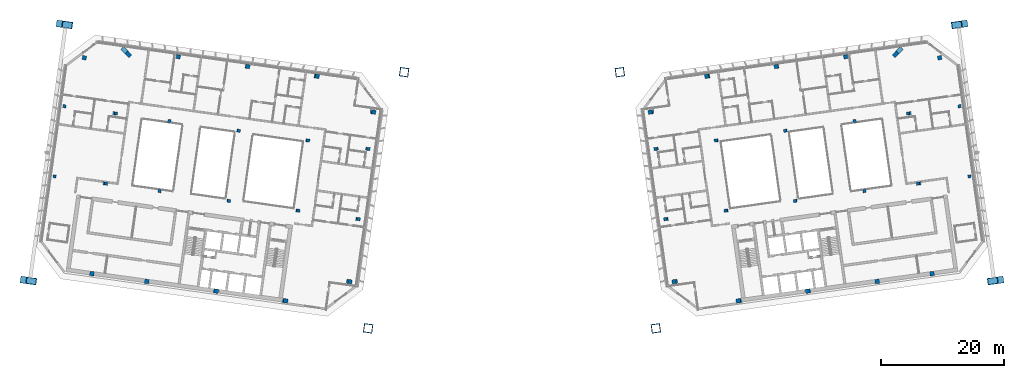
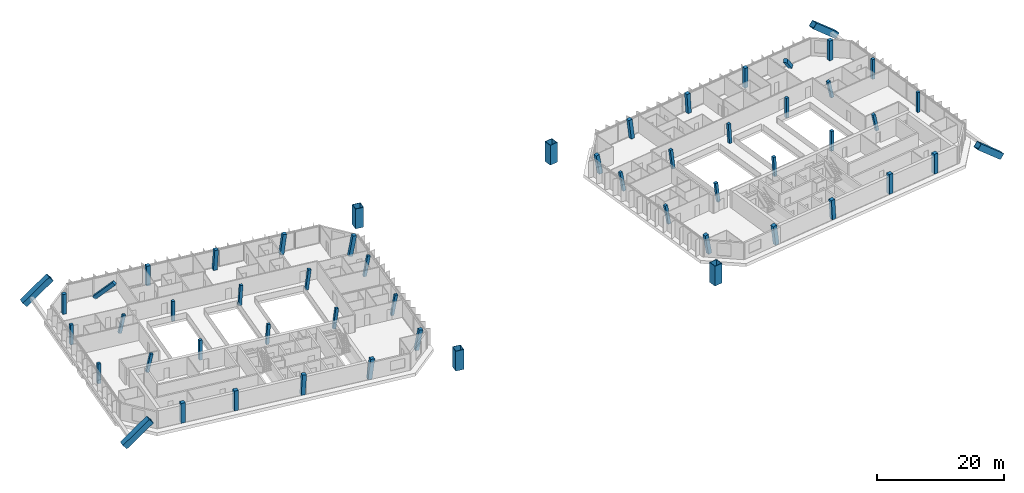
# One storey, part 1 of 26: 54 columns.
"""IFC4 building model written with IfcOpenShell, lengths in metres."""

import ifcopenshell
import ifcopenshell.guid

model = None  # the IFC model being written
_history = None  # IfcOwnerHistory: only IFC2X3 demands one
_inside = {}  # id of a spatial element -> (the spatial element, [elements in it])
_under = {}  # id of a project, library or spatial element -> (it, [spatial elements below it])
_declared = {}  # id of a project -> (the project, [libraries it declares])
_typed = {}  # id of a type object -> (the type object, [elements of that type])
_made_of = {}  # id of a material, layer set ... -> (it, [elements and type objects made of it])


def new_model(schema):
    """Start an empty IFC model of exactly this schema.

    Asked for "IFC4X3", IfcOpenShell would pick the latest addendum, in which some entities
    have other attributes; the version numbers below select the first issue.
    IFC2X3 requires an IfcOwnerHistory on every rooted entity: one is made here for all.
    """
    global model, _history
    if schema == "IFC4X3":
        model = ifcopenshell.file(schema_version=(4, 3, 0, 0))
    else:
        model = ifcopenshell.file(schema=schema)
    _inside.clear()
    _under.clear()
    _declared.clear()
    _typed.clear()
    _made_of.clear()
    _history = None
    if model.schema == "IFC2X3":
        org = make("IfcOrganization", Name="unknown")
        user = make(
            "IfcPersonAndOrganization",
            ThePerson=make("IfcPerson", FamilyName="unknown"),
            TheOrganization=org,
        )
        app = make(
            "IfcApplication",
            ApplicationDeveloper=org,
            Version="unknown",
            ApplicationFullName="unknown",
            ApplicationIdentifier="unknown",
        )
        _history = make(
            "IfcOwnerHistory",
            OwningUser=user,
            OwningApplication=app,
            ChangeAction="ADDED",
            CreationDate=0,
        )
    return model


def make(cls, **values):
    """One entity of the class cls with the attributes given. An attribute that is None is left unset."""
    return model.create_entity(
        cls, **{name: value for name, value in values.items() if value is not None}
    )


def rooted(cls, **values):
    """An entity with a GlobalId (a new one), such as an element, a storey or a relation."""
    return make(cls, GlobalId=ifcopenshell.guid.new(), OwnerHistory=_history, **values)


def si_unit(unit_type, name, prefix=None):
    """IfcSIUnit, for example si_unit("LENGTHUNIT", "METRE", prefix="MILLI")."""
    return make("IfcSIUnit", UnitType=unit_type, Prefix=prefix, Name=name)


def assignment(units):
    """IfcUnitAssignment: the units of a project."""
    return None if units is None else make("IfcUnitAssignment", Units=units)


def point(xyz):
    """IfcCartesianPoint."""
    return None if xyz is None else make("IfcCartesianPoint", Coordinates=xyz)


def direction(xyz):
    """IfcDirection."""
    return None if xyz is None else make("IfcDirection", DirectionRatios=xyz)


def frame(location, z_axis=None, x_axis=None):
    """IfcAxis2Placement3D, a coordinate frame: its origin and axes. An axis left out is left unset."""
    return make(
        "IfcAxis2Placement3D",
        Location=point(location),
        Axis=direction(z_axis),
        RefDirection=direction(x_axis),
    )


def frame_2d(location, x_axis=None):
    """IfcAxis2Placement2D, a coordinate frame in the plane: its origin and x axis."""
    return make(
        "IfcAxis2Placement2D", Location=point(location), RefDirection=direction(x_axis)
    )


def origin():
    """The frame at (0, 0, 0) with its axes left unset."""
    return frame((0.0, 0.0, 0.0))


def origin_2d():
    """The frame at (0, 0) in the plane with its x axis left unset."""
    return frame_2d((0.0, 0.0))


def place(relative_to, where):
    """IfcLocalPlacement: puts the frame where relative to a parent placement (None: the world)."""
    return make(
        "IfcLocalPlacement", PlacementRelTo=relative_to, RelativePlacement=where
    )


def context(
    kind, dimensions, precision=None, world=None, true_north=None, identifier=None
):
    """IfcGeometricRepresentationContext, for example the 3D "Model" context."""
    return make(
        "IfcGeometricRepresentationContext",
        ContextIdentifier=identifier,
        ContextType=kind,
        CoordinateSpaceDimension=dimensions,
        Precision=precision,
        WorldCoordinateSystem=world,
        TrueNorth=true_north,
    )


def subcontext(parent, identifier, kind, view, scale=None):
    """IfcGeometricRepresentationSubContext, for example "Body" below "Model"."""
    return make(
        "IfcGeometricRepresentationSubContext",
        ContextIdentifier=identifier,
        ContextType=kind,
        ParentContext=parent,
        TargetScale=scale,
        TargetView=view,
    )


def project(units=None, contexts=None):
    """IfcProject with its units and contexts."""
    return rooted(
        "IfcProject",
        Name="project",
        RepresentationContexts=contexts,
        UnitsInContext=assignment(units),
    )


def spatial(cls, under=None, at=None, **own):
    """A site, building, storey or space (cls), placed at a placement, below another one or the project."""
    s = rooted(cls, ObjectPlacement=at, **own)
    if under is not None:
        _under.setdefault(under.id(), (under, []))[1].append(s)
    return s


def profile(cls, at=None, kind="AREA", **sizes):
    """A parametric profile (cls). Its sizes go by their IFC names, for example OverallWidth=200.0."""
    return make(cls, ProfileType=kind, Position=at, **sizes)


def rectangle(**sizes):
    """IfcRectangleProfileDef."""
    return profile("IfcRectangleProfileDef", **sizes)


def hollow_rectangle(**sizes):
    """IfcRectangleHollowProfileDef."""
    return profile("IfcRectangleHollowProfileDef", **sizes)


def extrude(swept, where, along, depth):
    """IfcExtrudedAreaSolid: the profile swept, set in the frame where, extruded along a direction by depth."""
    return make(
        "IfcExtrudedAreaSolid",
        SweptArea=swept,
        Position=where,
        ExtrudedDirection=direction(along),
        Depth=depth,
    )


def shape(context_of_items, identifier, shape_type, items):
    """IfcShapeRepresentation: the items that make up one representation, for example the "Body"."""
    return make(
        "IfcShapeRepresentation",
        ContextOfItems=context_of_items,
        RepresentationIdentifier=identifier,
        RepresentationType=shape_type,
        Items=items,
    )


def material(Name=None, Category=None):
    """IfcMaterial."""
    return make("IfcMaterial", Name=Name, Category=Category)


def material_profile(
    of_material, cross_section, Name=None, Category=None, Priority=None
):
    """IfcMaterialProfile: a cross section and its material."""
    return make(
        "IfcMaterialProfile",
        Name=Name,
        Material=of_material,
        Profile=cross_section,
        Priority=Priority,
        Category=Category,
    )


def profile_set(profiles, Name=None, composite=None):
    """IfcMaterialProfileSet."""
    return make(
        "IfcMaterialProfileSet",
        Name=Name,
        MaterialProfiles=profiles,
        CompositeProfile=composite,
    )


def made_of(thing, what):
    """Note that an element or type object is made of a material, layer set ...; save() writes the relation."""
    if what is not None:
        _made_of.setdefault(what.id(), (what, []))[1].append(thing)
    return thing


def type_object(cls, material=None, **own):
    """A type object (cls), such as IfcWallType, which elements share."""
    return made_of(rooted(cls, **own), material)


def element(
    cls,
    number,
    at=None,
    inside=None,
    cuts=None,
    type_object=None,
    material=None,
    context=None,
    identifier="Body",
    shape_type=None,
    held_by="IfcProductDefinitionShape",
    body=None,
    shapes=None,
    **own,
):
    """One element of the class cls, such as IfcWall. Its Tag is "e" and its number.

    at: its placement. inside: the storey or other place that contains it. cuts: it is an
    opening in that element (IfcRelVoidsElement). A single representation is given by context,
    identifier, shape_type and body (its items); several are given by shapes. held_by: the class
    of the entity that holds the representations. save() writes the other relations.
    """
    e = rooted(cls, Tag="e%d" % number, ObjectPlacement=at, **own)
    if body is not None:
        shapes = [shape(context, identifier, shape_type, body)]
    if shapes is not None:
        e.Representation = make(held_by, Representations=shapes)
    if inside is not None:
        _inside.setdefault(inside.id(), (inside, []))[1].append(e)
    if cuts is not None:
        rooted(
            "IfcRelVoidsElement", RelatingBuildingElement=cuts, RelatedOpeningElement=e
        )
    if type_object is not None:
        _typed.setdefault(type_object.id(), (type_object, []))[1].append(e)
    return made_of(e, material)


def aggregate(whole, parts):
    """IfcRelAggregates: a whole, such as a stair, and the parts it consists of."""
    return rooted("IfcRelAggregates", RelatingObject=whole, RelatedObjects=parts)


def save(model, path):
    """Write the relations noted so far, then the file.

    IfcRelAggregates (storeys below a building ...), IfcRelContainedInSpatialStructure (elements
    in a storey), IfcRelDefinesByType, IfcRelAssociatesMaterial and IfcRelDeclares: one each for
    every whole, place, type object, material and project.
    """
    for whole, parts in _under.values():
        aggregate(whole, parts)
    for where, things in _inside.values():
        rooted(
            "IfcRelContainedInSpatialStructure",
            RelatedElements=things,
            RelatingStructure=where,
        )
    for kind, things in _typed.values():
        rooted("IfcRelDefinesByType", RelatedObjects=things, RelatingType=kind)
    for what, things in _made_of.values():
        rooted("IfcRelAssociatesMaterial", RelatedObjects=things, RelatingMaterial=what)
    for by, libraries in _declared.values():
        rooted("IfcRelDeclares", RelatingContext=by, RelatedDefinitions=libraries)
    model.write(path)


model = new_model("IFC4")

# Units and contexts
model_context = context("Model", 3, precision=1e-05, world=origin(), true_north=direction((0.0, 1.0)))
body_context = subcontext(model_context, "Body", "Model", "MODEL_VIEW")
ifc_project = project(units=[si_unit("LENGTHUNIT", "METRE"), si_unit("AREAUNIT", "SQUARE_METRE"), si_unit("VOLUMEUNIT", "CUBIC_METRE"), si_unit("PLANEANGLEUNIT", "RADIAN"), si_unit("MASSUNIT", "GRAM", prefix="KILO")], contexts=[model_context])

# Site, building, storey
site_placement = place(None, origin())
site = spatial("IfcSite", under=ifc_project, at=site_placement, CompositionType="ELEMENT")
building_placement = place(site_placement, origin())
building = spatial("IfcBuilding", under=site, at=building_placement, Name="Mirante Cascada Hotel Towers", CompositionType="ELEMENT")
storey_placement = place(building_placement, frame((0.0, 0.0, 228.0)))
storey = spatial("IfcBuildingStorey", under=building, at=storey_placement, Name="L54", CompositionType="ELEMENT", Elevation=228.0)

# Columns
ifc_material_1 = material(Name="Steel ASTM A572 Gr 50", Category="steel")
ifc_material_profile_1 = material_profile(ifc_material_1, hollow_rectangle(XDim=1.1, YDim=1.1, WallThickness=0.05, at=origin_2d()), Name="Box column 1100x1100x50 ASTM A572 Gr 50")
ifc_profile_set_1 = profile_set([ifc_material_profile_1], Name="Steel ASTM A572 Gr 50")
column_type_1 = type_object("IfcColumnType", Name="Box column 1100x1100x50 ASTM A572 Gr 50", PredefinedType="COLUMN", material=ifc_profile_set_1)
for number, where, z_axis, x_axis, name in (
    (1, (-73.62, 25.3368, 0.0), (0.7565937, -0.106336, 0.6451811), (0.1391779, 0.9902674, 0.0), "Mega column MC3 T1 L54"),
    (2, (-79.4652, -16.2545, 0.0), (0.7565937, -0.106336, 0.6451811), (0.1391779, 0.9902674, 0.0), "Mega column MC4 T1 L54"),
    (3, (73.62, 25.3368, 0.0), (-0.7565937, -0.106336, 0.6451811), (0.1391779, -0.9902674, 0.0), "Mega column MC3 T2 L54"),
    (4, (79.4652, -16.2545, 0.0), (-0.7565937, -0.106336, 0.6451811), (0.1391779, -0.9902674, 0.0), "Mega column MC4 T2 L54"),
):
    element("IfcColumn", number, at=place(storey_placement, frame(where, z_axis=z_axis, x_axis=x_axis)), inside=storey, type_object=column_type_1, Name=name, PredefinedType="COLUMN", context=body_context, shape_type="SweptSolid", body=[
        extrude(hollow_rectangle(XDim=1.1, YDim=1.1, WallThickness=0.05, at=origin_2d()), origin(), (0.0, 0.0, 1.0), 5.8898),
    ])
ifc_material_2 = material(Name="Steel ASTM A572 Gr 50", Category="steel")
ifc_material_profile_2 = material_profile(ifc_material_2, hollow_rectangle(XDim=1.4, YDim=1.4, WallThickness=0.06, at=origin_2d()), Name="Box column 1400x1400x60 ASTM A572 Gr 50")
ifc_profile_set_2 = profile_set([ifc_material_profile_2], Name="Steel ASTM A572 Gr 50")
column_type_2 = type_object("IfcColumnType", Name="Box column 1400x1400x60 ASTM A572 Gr 50", PredefinedType="COLUMN", material=ifc_profile_set_2)
for number, where, z_axis, x_axis, name in (
    (5, (-17.5117, 17.4513, 0.0), (0.0, 0.0, 1.0), (-0.9902681, 0.1391731, 0.0), "Mega column MC1 T1 L54"),
    (6, (-23.357, -24.14, 0.0), (0.0, 0.0, 1.0), (-0.9902681, 0.1391731, 0.0), "Mega column MC2 T1 L54"),
    (7, (17.5117, 17.4513, 0.0), (0.0, 0.0, 1.0), (0.9902681, 0.1391731, 0.0), "Mega column MC1 T2 L54"),
    (8, (23.357, -24.14, 0.0), (0.0, 0.0, 1.0), (0.9902681, 0.1391731, 0.0), "Mega column MC2 T2 L54"),
):
    element("IfcColumn", number, at=place(storey_placement, frame(where, z_axis=z_axis, x_axis=x_axis)), inside=storey, type_object=column_type_2, Name=name, PredefinedType="COLUMN", context=body_context, shape_type="SweptSolid", body=[
        extrude(hollow_rectangle(XDim=1.4, YDim=1.4, WallThickness=0.06, at=origin_2d()), origin(), (0.0, 0.0, 1.0), 3.8),
    ])
ifc_material_3 = material(Name="Concrete C50/60", Category="concrete")
ifc_material_profile_3 = material_profile(ifc_material_3, rectangle(XDim=0.5, YDim=0.5, at=origin_2d()), Name="RC column 500x500 C50/60")
ifc_profile_set_3 = profile_set([ifc_material_profile_3], Name="Concrete C50/60")
column_type_3 = type_object("IfcColumnType", Name="RC column 500x500 C50/60", PredefinedType="COLUMN", material=ifc_profile_set_3)
for number, where, z_axis, x_axis, name in (
    (9, (-23.5059, 5.0145, 0.0039), (0.175491, -0.0246809, 0.9841716), (0.1392683, 0.9902547, 0.0), "Column T1 L54 2"),
    (10, (-25.1064, -6.3736, 0.0039), (0.1755161, -0.0246807, 0.9841671), (0.1392481, 0.9902575, 0.0), "Column T1 L54 3"),
):
    element("IfcColumn", number, at=place(storey_placement, frame(where, z_axis=z_axis, x_axis=x_axis)), inside=storey, type_object=column_type_3, Name=name, PredefinedType="COLUMN", context=body_context, shape_type="SweptSolid", body=[
        extrude(rectangle(XDim=0.5, YDim=0.5, at=origin_2d()), origin(), (0.0, 0.0, 1.0), 3.8532),
    ])
for number, where, z_axis, x_axis, name in (
    (11, (-33.2389, 6.3823, 0.004), (0.1243507, -0.0174504, 0.9920849), (0.1389707, 0.9902965, 0.0), "Column T1 L54 6"),
    (12, (-34.8394, -5.0057, 0.004), (0.1243507, -0.0174766, 0.9920844), (0.139175, 0.9902678, 0.0), "Column T1 L54 7"),
):
    element("IfcColumn", number, at=place(storey_placement, frame(where, z_axis=z_axis, x_axis=x_axis)), inside=storey, type_object=column_type_3, Name=name, PredefinedType="COLUMN", context=body_context, shape_type="SweptSolid", body=[
        extrude(rectangle(XDim=0.5, YDim=0.5, at=origin_2d()), origin(), (0.0, 0.0, 1.0), 3.8223),
    ])
for number, where, z_axis, x_axis, name in (
    (13, (-44.4418, 7.9568, 0.004), (0.0625332, -0.0087904, 0.9980042), (0.1392037, 0.9902638, 0.0), "Column T1 L54 10"),
    (14, (-46.0423, -3.4313, 0.004), (0.0625332, -0.0087904, 0.9980042), (0.1392037, 0.9902638, 0.0), "Column T1 L54 11"),
):
    element("IfcColumn", number, at=place(storey_placement, frame(where, z_axis=z_axis, x_axis=x_axis)), inside=storey, type_object=column_type_3, Name=name, PredefinedType="COLUMN", context=body_context, shape_type="SweptSolid", body=[
        extrude(rectangle(XDim=0.5, YDim=0.5, at=origin_2d()), origin(), (0.0, 0.0, 1.0), 3.7996),
    ])
for number, where, z_axis, x_axis, name in (
    (15, (-55.6447, 9.5313, 0.0), (0.0, 0.0, 1.0), (-0.9902681, 0.1391731, 0.0), "Column T1 L54 14"),
    (16, (-57.2452, -1.8568, 0.0), (0.0, 0.0, 1.0), (-0.9902681, 0.1391731, 0.0), "Column T1 L54 15"),
):
    element("IfcColumn", number, at=place(storey_placement, frame(where, z_axis=z_axis, x_axis=x_axis)), inside=storey, type_object=column_type_3, Name=name, PredefinedType="COLUMN", context=body_context, shape_type="SweptSolid", body=[
        extrude(rectangle(XDim=0.5, YDim=0.5, at=origin_2d()), origin(), (0.0, 0.0, 1.0), 3.8),
    ])
for number, where, z_axis, x_axis, name in (
    (17, (-64.5712, 10.7858, 0.0039), (0.2076734, -0.0291917, 0.9777626), (0.1391972, 0.9902647, 0.0), "Column T1 L54 18"),
    (18, (-66.1717, -0.6023, 0.0039), (0.2076734, -0.0291917, 0.9777626), (0.1391972, 0.9902647, 0.0), "Column T1 L54 19"),
):
    element("IfcColumn", number, at=place(storey_placement, frame(where, z_axis=z_axis, x_axis=x_axis)), inside=storey, type_object=column_type_3, Name=name, PredefinedType="COLUMN", context=body_context, shape_type="SweptSolid", body=[
        extrude(rectangle(XDim=0.5, YDim=0.5, at=origin_2d()), origin(), (0.0, 0.0, 1.0), 3.4222),
    ])
for number, where, z_axis, x_axis, name in (
    (19, (-72.6773, 11.9251, 0.0), (0.0, 0.0, 1.0), (-0.9902681, 0.1391731, 0.0), "Column T1 L54 22"),
    (20, (-74.2778, 0.537, 0.0), (0.0, 0.0, 1.0), (-0.9902681, 0.1391731, 0.0), "Column T1 L54 23"),
):
    element("IfcColumn", number, at=place(storey_placement, frame(where, z_axis=z_axis, x_axis=x_axis)), inside=storey, type_object=column_type_3, Name=name, PredefinedType="COLUMN", context=body_context, shape_type="SweptSolid", body=[
        extrude(rectangle(XDim=0.5, YDim=0.5, at=origin_2d()), origin(), (0.0, 0.0, 1.0), 3.8),
    ])
for number, where, z_axis, x_axis, name in (
    (21, (23.5059, 5.0145, 0.0039), (-0.175491, -0.0246809, 0.9841716), (0.1392683, -0.9902547, 0.0), "Column T2 L54 2"),
    (22, (25.1064, -6.3736, 0.0039), (-0.1755161, -0.0246807, 0.9841671), (0.1392481, -0.9902575, 0.0), "Column T2 L54 3"),
):
    element("IfcColumn", number, at=place(storey_placement, frame(where, z_axis=z_axis, x_axis=x_axis)), inside=storey, type_object=column_type_3, Name=name, PredefinedType="COLUMN", context=body_context, shape_type="SweptSolid", body=[
        extrude(rectangle(XDim=0.5, YDim=0.5, at=origin_2d()), origin(), (0.0, 0.0, 1.0), 3.8532),
    ])
for number, where, z_axis, x_axis, name in (
    (23, (33.2389, 6.3823, 0.004), (-0.1243507, -0.0174504, 0.9920849), (0.1389707, -0.9902965, 0.0), "Column T2 L54 6"),
    (24, (34.8394, -5.0057, 0.004), (-0.1243507, -0.0174766, 0.9920844), (0.139175, -0.9902678, 0.0), "Column T2 L54 7"),
):
    element("IfcColumn", number, at=place(storey_placement, frame(where, z_axis=z_axis, x_axis=x_axis)), inside=storey, type_object=column_type_3, Name=name, PredefinedType="COLUMN", context=body_context, shape_type="SweptSolid", body=[
        extrude(rectangle(XDim=0.5, YDim=0.5, at=origin_2d()), origin(), (0.0, 0.0, 1.0), 3.8223),
    ])
for number, where, z_axis, x_axis, name in (
    (25, (44.4418, 7.9568, 0.004), (-0.0625332, -0.0087904, 0.9980042), (0.1392037, -0.9902638, 0.0), "Column T2 L54 10"),
    (26, (46.0423, -3.4313, 0.004), (-0.0625332, -0.0087904, 0.9980042), (0.1392037, -0.9902638, 0.0), "Column T2 L54 11"),
):
    element("IfcColumn", number, at=place(storey_placement, frame(where, z_axis=z_axis, x_axis=x_axis)), inside=storey, type_object=column_type_3, Name=name, PredefinedType="COLUMN", context=body_context, shape_type="SweptSolid", body=[
        extrude(rectangle(XDim=0.5, YDim=0.5, at=origin_2d()), origin(), (0.0, 0.0, 1.0), 3.7996),
    ])
for number, where, z_axis, x_axis, name in (
    (27, (55.6447, 9.5313, 0.0), (0.0, 0.0, 1.0), (0.9902681, 0.1391731, 0.0), "Column T2 L54 14"),
    (28, (57.2452, -1.8568, 0.0), (0.0, 0.0, 1.0), (0.9902681, 0.1391731, 0.0), "Column T2 L54 15"),
):
    element("IfcColumn", number, at=place(storey_placement, frame(where, z_axis=z_axis, x_axis=x_axis)), inside=storey, type_object=column_type_3, Name=name, PredefinedType="COLUMN", context=body_context, shape_type="SweptSolid", body=[
        extrude(rectangle(XDim=0.5, YDim=0.5, at=origin_2d()), origin(), (0.0, 0.0, 1.0), 3.8),
    ])
for number, where, z_axis, x_axis, name in (
    (29, (64.5712, 10.7858, 0.0039), (-0.2076734, -0.0291917, 0.9777626), (0.1391972, -0.9902647, 0.0), "Column T2 L54 18"),
    (30, (66.1717, -0.6023, 0.0039), (-0.2076734, -0.0291917, 0.9777626), (0.1391972, -0.9902647, 0.0), "Column T2 L54 19"),
):
    element("IfcColumn", number, at=place(storey_placement, frame(where, z_axis=z_axis, x_axis=x_axis)), inside=storey, type_object=column_type_3, Name=name, PredefinedType="COLUMN", context=body_context, shape_type="SweptSolid", body=[
        extrude(rectangle(XDim=0.5, YDim=0.5, at=origin_2d()), origin(), (0.0, 0.0, 1.0), 3.4222),
    ])
for number, where, z_axis, x_axis, name in (
    (31, (72.6773, 11.9251, 0.0), (0.0, 0.0, 1.0), (0.9902681, 0.1391731, 0.0), "Column T2 L54 22"),
    (32, (74.2778, 0.537, 0.0), (0.0, 0.0, 1.0), (0.9902681, 0.1391731, 0.0), "Column T2 L54 23"),
):
    element("IfcColumn", number, at=place(storey_placement, frame(where, z_axis=z_axis, x_axis=x_axis)), inside=storey, type_object=column_type_3, Name=name, PredefinedType="COLUMN", context=body_context, shape_type="SweptSolid", body=[
        extrude(rectangle(XDim=0.5, YDim=0.5, at=origin_2d()), origin(), (0.0, 0.0, 1.0), 3.8),
    ])
ifc_material_4 = material(Name="Concrete C50/60", Category="concrete")
ifc_material_profile_4 = material_profile(ifc_material_4, rectangle(XDim=0.65, YDim=0.65, at=origin_2d()), Name="RC column 650x650 C50/60")
ifc_profile_set_4 = profile_set([ifc_material_profile_4], Name="Concrete C50/60")
column_type_4 = type_object("IfcColumnType", Name="RC column 650x650 C50/60", PredefinedType="COLUMN", material=ifc_profile_set_4)
for number, where, z_axis, x_axis, name in (
    (33, (-22.6639, 11.0056, 0.0039), (0.175491, -0.0246809, 0.9841716), (0.1392683, 0.9902547, 0.0), "Column T1 L54 1"),
    (34, (-26.5329, -16.5239, 0.0039), (0.1754911, -0.0246549, 0.9841722), (0.1391247, 0.9902749, 0.0), "Column T1 L54 4"),
):
    element("IfcColumn", number, at=place(storey_placement, frame(where, z_axis=z_axis, x_axis=x_axis)), inside=storey, type_object=column_type_4, Name=name, PredefinedType="COLUMN", context=body_context, shape_type="SweptSolid", body=[
        extrude(rectangle(XDim=0.65, YDim=0.65, at=origin_2d()), origin(), (0.0, 0.0, 1.0), 3.8532),
    ])
column_1_placement = place(storey_placement, frame((-31.7741, 16.8049, 0.004), z_axis=(0.1243507, -0.0174766, 0.9920844), x_axis=(0.139175, 0.9902678, 0.0)))
element("IfcColumn", 35, at=column_1_placement, inside=storey, type_object=column_type_4, Name="Column T1 L54 5", PredefinedType="COLUMN", context=body_context, shape_type="SweptSolid", body=[
    extrude(rectangle(XDim=0.65, YDim=0.65, at=origin_2d()), origin(), (0.0, 0.0, 1.0), 3.8223),
])
column_2_placement = place(storey_placement, frame((-42.977, 18.3794, 0.004), z_axis=(0.0625332, -0.0087904, 0.9980042), x_axis=(0.1392037, 0.9902638, 0.0)))
element("IfcColumn", 36, at=column_2_placement, inside=storey, type_object=column_type_4, Name="Column T1 L54 9", PredefinedType="COLUMN", context=body_context, shape_type="SweptSolid", body=[
    extrude(rectangle(XDim=0.65, YDim=0.65, at=origin_2d()), origin(), (0.0, 0.0, 1.0), 3.7996),
])
column_3_placement = place(storey_placement, frame((-54.1799, 19.9538, 0.0), z_axis=(0.0, 0.0, 1.0), x_axis=(-0.9902681, 0.1391731, 0.0)))
element("IfcColumn", 37, at=column_3_placement, inside=storey, type_object=column_type_4, Name="Column T1 L54 13", PredefinedType="COLUMN", context=body_context, shape_type="SweptSolid", body=[
    extrude(rectangle(XDim=0.65, YDim=0.65, at=origin_2d()), origin(), (0.0, 0.0, 1.0), 3.8),
])
column_4_placement = place(storey_placement, frame((-63.1053, 21.2065, 0.0029), z_axis=(0.4847257, -0.5014056, 0.7166822), x_axis=(0.7189643, 0.695047, 0.0)))
element("IfcColumn", 38, at=column_4_placement, inside=storey, type_object=column_type_4, Name="Column T1 L54 17", PredefinedType="COLUMN", context=body_context, shape_type="SweptSolid", body=[
    extrude(rectangle(XDim=0.65, YDim=0.65, at=origin_2d()), origin(), (0.0, 0.0, 1.0), 4.6703),
])
column_5_placement = place(storey_placement, frame((-69.4496, 19.8025, 0.0), z_axis=(0.0, 0.0, 1.0), x_axis=(-0.9902681, 0.1391731, 0.0)))
element("IfcColumn", 39, at=column_5_placement, inside=storey, type_object=column_type_4, Name="Column T1 L54 21", PredefinedType="COLUMN", context=body_context, shape_type="SweptSolid", body=[
    extrude(rectangle(XDim=0.65, YDim=0.65, at=origin_2d()), origin(), (0.0, 0.0, 1.0), 3.8),
])
for number, where, z_axis, x_axis, name in (
    (40, (22.6639, 11.0056, 0.0039), (-0.175491, -0.0246809, 0.9841716), (0.1392683, -0.9902547, 0.0), "Column T2 L54 1"),
    (41, (26.5329, -16.5239, 0.0039), (-0.1754911, -0.0246549, 0.9841722), (0.1391247, -0.9902749, 0.0), "Column T2 L54 4"),
):
    element("IfcColumn", number, at=place(storey_placement, frame(where, z_axis=z_axis, x_axis=x_axis)), inside=storey, type_object=column_type_4, Name=name, PredefinedType="COLUMN", context=body_context, shape_type="SweptSolid", body=[
        extrude(rectangle(XDim=0.65, YDim=0.65, at=origin_2d()), origin(), (0.0, 0.0, 1.0), 3.8532),
    ])
column_6_placement = place(storey_placement, frame((31.7741, 16.8049, 0.004), z_axis=(-0.1243507, -0.0174766, 0.9920844), x_axis=(0.139175, -0.9902678, 0.0)))
element("IfcColumn", 42, at=column_6_placement, inside=storey, type_object=column_type_4, Name="Column T2 L54 5", PredefinedType="COLUMN", context=body_context, shape_type="SweptSolid", body=[
    extrude(rectangle(XDim=0.65, YDim=0.65, at=origin_2d()), origin(), (0.0, 0.0, 1.0), 3.8223),
])
column_7_placement = place(storey_placement, frame((42.977, 18.3794, 0.004), z_axis=(-0.0625332, -0.0087904, 0.9980042), x_axis=(0.1392037, -0.9902638, 0.0)))
element("IfcColumn", 43, at=column_7_placement, inside=storey, type_object=column_type_4, Name="Column T2 L54 9", PredefinedType="COLUMN", context=body_context, shape_type="SweptSolid", body=[
    extrude(rectangle(XDim=0.65, YDim=0.65, at=origin_2d()), origin(), (0.0, 0.0, 1.0), 3.7996),
])
column_8_placement = place(storey_placement, frame((54.1799, 19.9538, 0.0), z_axis=(0.0, 0.0, 1.0), x_axis=(0.9902681, 0.1391731, 0.0)))
element("IfcColumn", 44, at=column_8_placement, inside=storey, type_object=column_type_4, Name="Column T2 L54 13", PredefinedType="COLUMN", context=body_context, shape_type="SweptSolid", body=[
    extrude(rectangle(XDim=0.65, YDim=0.65, at=origin_2d()), origin(), (0.0, 0.0, 1.0), 3.8),
])
column_9_placement = place(storey_placement, frame((63.1053, 21.2065, 0.0029), z_axis=(-0.4847257, -0.5014056, 0.7166822), x_axis=(0.7189643, -0.695047, 0.0)))
element("IfcColumn", 45, at=column_9_placement, inside=storey, type_object=column_type_4, Name="Column T2 L54 17", PredefinedType="COLUMN", context=body_context, shape_type="SweptSolid", body=[
    extrude(rectangle(XDim=0.65, YDim=0.65, at=origin_2d()), origin(), (0.0, 0.0, 1.0), 4.6703),
])
column_10_placement = place(storey_placement, frame((69.4496, 19.8025, 0.0), z_axis=(0.0, 0.0, 1.0), x_axis=(0.9902681, 0.1391731, 0.0)))
element("IfcColumn", 46, at=column_10_placement, inside=storey, type_object=column_type_4, Name="Column T2 L54 21", PredefinedType="COLUMN", context=body_context, shape_type="SweptSolid", body=[
    extrude(rectangle(XDim=0.65, YDim=0.65, at=origin_2d()), origin(), (0.0, 0.0, 1.0), 3.8),
])
ifc_material_5 = material(Name="Concrete C50/60", Category="concrete")
ifc_material_profile_5 = material_profile(ifc_material_5, rectangle(XDim=0.7, YDim=0.7, at=origin_2d()), Name="RC column 700x700 C50/60")
ifc_profile_set_5 = profile_set([ifc_material_profile_5], Name="Concrete C50/60")
column_type_5 = type_object("IfcColumnType", Name="RC column 700x700 C50/60", PredefinedType="COLUMN", material=ifc_profile_set_5)
column_11_placement = place(storey_placement, frame((-36.8992, -19.6617, 0.004), z_axis=(0.1243507, -0.0174766, 0.9920844), x_axis=(0.139175, 0.9902678, 0.0)))
element("IfcColumn", 47, at=column_11_placement, inside=storey, type_object=column_type_5, Name="Column T1 L54 8", PredefinedType="COLUMN", context=body_context, shape_type="SweptSolid", body=[
    extrude(rectangle(XDim=0.7, YDim=0.7, at=origin_2d()), origin(), (0.0, 0.0, 1.0), 3.8223),
])
column_12_placement = place(storey_placement, frame((-48.1021, -18.0872, 0.004), z_axis=(0.0625594, -0.0087904, 0.9980025), x_axis=(0.1391463, 0.9902718, 0.0)))
element("IfcColumn", 48, at=column_12_placement, inside=storey, type_object=column_type_5, Name="Column T1 L54 12", PredefinedType="COLUMN", context=body_context, shape_type="SweptSolid", body=[
    extrude(rectangle(XDim=0.7, YDim=0.7, at=origin_2d()), origin(), (0.0, 0.0, 1.0), 3.7996),
])
for number, where, z_axis, x_axis, name in (
    (49, (-59.305, -16.5128, 0.0), (0.0, 0.0, 1.0), (-0.9902681, 0.1391731, 0.0), "Column T1 L54 16"),
    (50, (-68.2174, -15.2602, 0.0), (0.0, 0.0, 1.0), (-0.9902681, 0.1391731, 0.0), "Column T1 L54 20"),
):
    element("IfcColumn", number, at=place(storey_placement, frame(where, z_axis=z_axis, x_axis=x_axis)), inside=storey, type_object=column_type_5, Name=name, PredefinedType="COLUMN", context=body_context, shape_type="SweptSolid", body=[
        extrude(rectangle(XDim=0.7, YDim=0.7, at=origin_2d()), origin(), (0.0, 0.0, 1.0), 3.8),
    ])
column_13_placement = place(storey_placement, frame((36.8992, -19.6617, 0.004), z_axis=(-0.1243507, -0.0174766, 0.9920844), x_axis=(0.139175, -0.9902678, 0.0)))
element("IfcColumn", 51, at=column_13_placement, inside=storey, type_object=column_type_5, Name="Column T2 L54 8", PredefinedType="COLUMN", context=body_context, shape_type="SweptSolid", body=[
    extrude(rectangle(XDim=0.7, YDim=0.7, at=origin_2d()), origin(), (0.0, 0.0, 1.0), 3.8223),
])
column_14_placement = place(storey_placement, frame((48.1021, -18.0872, 0.004), z_axis=(-0.0625594, -0.0087904, 0.9980025), x_axis=(0.1391463, -0.9902718, 0.0)))
element("IfcColumn", 52, at=column_14_placement, inside=storey, type_object=column_type_5, Name="Column T2 L54 12", PredefinedType="COLUMN", context=body_context, shape_type="SweptSolid", body=[
    extrude(rectangle(XDim=0.7, YDim=0.7, at=origin_2d()), origin(), (0.0, 0.0, 1.0), 3.7996),
])
for number, where, z_axis, x_axis, name in (
    (53, (59.305, -16.5128, 0.0), (0.0, 0.0, 1.0), (0.9902681, 0.1391731, 0.0), "Column T2 L54 16"),
    (54, (68.2174, -15.2602, 0.0), (0.0, 0.0, 1.0), (0.9902681, 0.1391731, 0.0), "Column T2 L54 20"),
):
    element("IfcColumn", number, at=place(storey_placement, frame(where, z_axis=z_axis, x_axis=x_axis)), inside=storey, type_object=column_type_5, Name=name, PredefinedType="COLUMN", context=body_context, shape_type="SweptSolid", body=[
        extrude(rectangle(XDim=0.7, YDim=0.7, at=origin_2d()), origin(), (0.0, 0.0, 1.0), 3.8),
    ])

save(model, "model.ifc")
